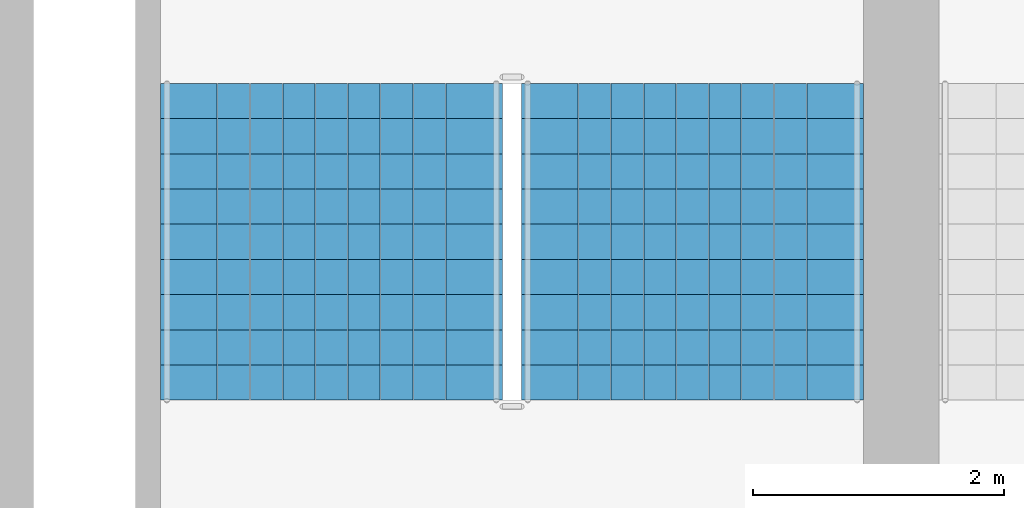
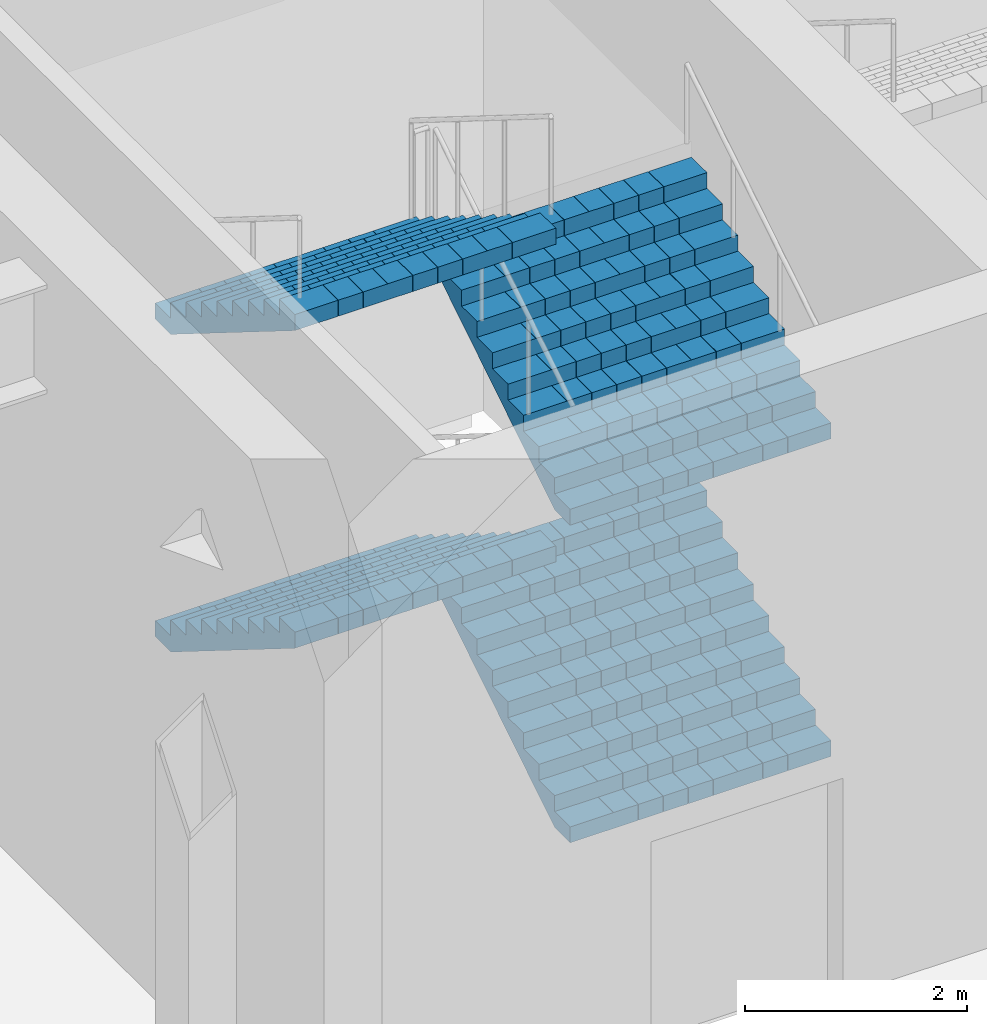
# One storey, part 52 of 62: 4 stair flights, 1 element without a shape of its own.
"""IFC4 building model written with IfcOpenShell, lengths in metres."""

from ifc_helpers import new_model, si_unit, direction, frame, origin, place, context, subcontext, project, spatial, polyline, outline, extrude, material, type_object, element, aggregate, save


model = new_model("IFC4")

# Units and contexts
model_context = context("Model", 3, precision=1e-05, world=origin(), true_north=direction((0.0, 1.0)))
body_context = subcontext(model_context, "Body", "Model", "MODEL_VIEW")
ifc_project = project(units=[si_unit("LENGTHUNIT", "METRE"), si_unit("AREAUNIT", "SQUARE_METRE"), si_unit("VOLUMEUNIT", "CUBIC_METRE"), si_unit("PLANEANGLEUNIT", "RADIAN"), si_unit("MASSUNIT", "GRAM", prefix="KILO")], contexts=[model_context])

# Site, building, storey
site_placement = place(None, origin())
site = spatial("IfcSite", under=ifc_project, at=site_placement, CompositionType="ELEMENT")
building_placement = place(site_placement, origin())
building = spatial("IfcBuilding", under=site, at=building_placement, Name="Corbelhall Arena Tower", CompositionType="ELEMENT")
storey_placement = place(building_placement, frame((0.0, 0.0, 12.0)))
storey = spatial("IfcBuildingStorey", under=building, at=storey_placement, Name="L01", CompositionType="ELEMENT", Elevation=12.0)

# Stair, stair flights
ifc_material = material(Name="Reinforced concrete C40/50", Category="concrete")
stair_type = type_object("IfcStairType", Name="AR-EXIT-STAIR", PredefinedType="HALF_TURN_STAIR", material=ifc_material)
stair_placement = place(storey_placement, origin())
stair = element("IfcStair", 1, at=stair_placement, inside=storey, type_object=stair_type, Name="L01 exit stair AS1", PredefinedType="HALF_TURN_STAIR")
stair_flight_type = type_object("IfcStairFlightType", Name="AR-EXIT-FLIGHT", PredefinedType="STRAIGHT", material=ifc_material)
stair_flight_1_placement = place(storey_placement, frame((38.840087890625, 27.320068359375, 0.0), z_axis=(0.0, 0.0, 1.0), x_axis=(0.0, 1.0, 0.0)))
stair_flight_1 = element("IfcStairFlight", 2, at=stair_flight_1_placement, type_object=stair_flight_type, Name="AS1 flight 1", NumberOfRisers=10, NumberOfTreads=9, PredefinedType="STRAIGHT", RiserHeight=0.175, TreadLength=0.28, context=body_context, shape_type="SweptSolid", body=[
    extrude(outline(polyline([(0.0, 0.0), (0.0, 0.175048828125), (0.280029296875, 0.175048828125), (0.280029296875, 0.35009765625), (0.56005859375, 0.35009765625), (0.56005859375, 0.52490234375), (0.840087890625, 0.52490234375), (0.840087890625, 0.699951171875), (1.1201171875, 0.699951171875), (1.1201171875, 0.875), (1.39990234375, 0.875), (1.39990234375, 1.050048828125), (1.679931640625, 1.050048828125), (1.679931640625, 1.22509765625), (1.9599609375, 1.22509765625), (1.9599609375, 1.39990234375), (2.239990234375, 1.39990234375), (2.239990234375, 1.574951171875), (2.52001953125, 1.574951171875), (2.52001953125, 1.75), (2.52001953125, 1.398193359375), (0.28271484375, 0.0), (0.0, 0.0)])), frame((0.0, 1.35986328125, 0.0), z_axis=(0.0, -1.0, 0.0), x_axis=(1.0, 0.0, 0.0)), (0.0, 0.0, 1.0), 0.449951171875),
    extrude(outline(polyline([(0.0, 0.0), (0.0, 0.175048828125), (0.280029296875, 0.175048828125), (0.280029296875, 0.35009765625), (0.56005859375, 0.35009765625), (0.56005859375, 0.52490234375), (0.840087890625, 0.52490234375), (0.840087890625, 0.699951171875), (1.1201171875, 0.699951171875), (1.1201171875, 0.875), (1.39990234375, 0.875), (1.39990234375, 1.050048828125), (1.679931640625, 1.050048828125), (1.679931640625, 1.22509765625), (1.9599609375, 1.22509765625), (1.9599609375, 1.39990234375), (2.239990234375, 1.39990234375), (2.239990234375, 1.574951171875), (2.52001953125, 1.574951171875), (2.52001953125, 1.75), (2.52001953125, 1.398193359375), (0.28271484375, 0.0), (0.0, 0.0)])), frame((0.0, 0.906005859375, 0.0), z_axis=(0.0, -1.0, 0.0), x_axis=(1.0, 0.0, 0.0)), (0.0, 0.0, 1.0), 0.25537109375),
    extrude(outline(polyline([(0.0, 0.0), (0.0, 0.175048828125), (0.280029296875, 0.175048828125), (0.280029296875, 0.35009765625), (0.56005859375, 0.35009765625), (0.56005859375, 0.52490234375), (0.840087890625, 0.52490234375), (0.840087890625, 0.699951171875), (1.1201171875, 0.699951171875), (1.1201171875, 0.875), (1.39990234375, 0.875), (1.39990234375, 1.050048828125), (1.679931640625, 1.050048828125), (1.679931640625, 1.22509765625), (1.9599609375, 1.22509765625), (1.9599609375, 1.39990234375), (2.239990234375, 1.39990234375), (2.239990234375, 1.574951171875), (2.52001953125, 1.574951171875), (2.52001953125, 1.75), (2.52001953125, 1.398193359375), (0.28271484375, 0.0), (0.0, 0.0)])), frame((0.0, 0.646484375, 0.0), z_axis=(0.0, -1.0, 0.0), x_axis=(1.0, 0.0, 0.0)), (0.0, 0.0, 1.0), 0.25537109375),
    extrude(outline(polyline([(0.0, 0.0), (0.0, 0.175048828125), (0.280029296875, 0.175048828125), (0.280029296875, 0.35009765625), (0.56005859375, 0.35009765625), (0.56005859375, 0.52490234375), (0.840087890625, 0.52490234375), (0.840087890625, 0.699951171875), (1.1201171875, 0.699951171875), (1.1201171875, 0.875), (1.39990234375, 0.875), (1.39990234375, 1.050048828125), (1.679931640625, 1.050048828125), (1.679931640625, 1.22509765625), (1.9599609375, 1.22509765625), (1.9599609375, 1.39990234375), (2.239990234375, 1.39990234375), (2.239990234375, 1.574951171875), (2.52001953125, 1.574951171875), (2.52001953125, 1.75), (2.52001953125, 1.398193359375), (0.28271484375, 0.0), (0.0, 0.0)])), frame((0.0, 0.38720703125, 0.0), z_axis=(0.0, -1.0, 0.0), x_axis=(1.0, 0.0, 0.0)), (0.0, 0.0, 1.0), 0.25537109375),
    extrude(outline(polyline([(0.0, 0.0), (0.0, 0.175048828125), (0.280029296875, 0.175048828125), (0.280029296875, 0.35009765625), (0.56005859375, 0.35009765625), (0.56005859375, 0.52490234375), (0.840087890625, 0.52490234375), (0.840087890625, 0.699951171875), (1.1201171875, 0.699951171875), (1.1201171875, 0.875), (1.39990234375, 0.875), (1.39990234375, 1.050048828125), (1.679931640625, 1.050048828125), (1.679931640625, 1.22509765625), (1.9599609375, 1.22509765625), (1.9599609375, 1.39990234375), (2.239990234375, 1.39990234375), (2.239990234375, 1.574951171875), (2.52001953125, 1.574951171875), (2.52001953125, 1.75), (2.52001953125, 1.398193359375), (0.28271484375, 0.0), (0.0, 0.0)])), frame((0.0, 0.127685546875, 0.0), z_axis=(0.0, -1.0, 0.0), x_axis=(1.0, 0.0, 0.0)), (0.0, 0.0, 1.0), 0.25537109375),
    extrude(outline(polyline([(0.0, 0.0), (0.0, 0.175048828125), (0.280029296875, 0.175048828125), (0.280029296875, 0.35009765625), (0.56005859375, 0.35009765625), (0.56005859375, 0.52490234375), (0.840087890625, 0.52490234375), (0.840087890625, 0.699951171875), (1.1201171875, 0.699951171875), (1.1201171875, 0.875), (1.39990234375, 0.875), (1.39990234375, 1.050048828125), (1.679931640625, 1.050048828125), (1.679931640625, 1.22509765625), (1.9599609375, 1.22509765625), (1.9599609375, 1.39990234375), (2.239990234375, 1.39990234375), (2.239990234375, 1.574951171875), (2.52001953125, 1.574951171875), (2.52001953125, 1.75), (2.52001953125, 1.398193359375), (0.28271484375, 0.0), (0.0, 0.0)])), frame((0.0, -0.131591796875, 0.0), z_axis=(0.0, -1.0, 0.0), x_axis=(1.0, 0.0, 0.0)), (0.0, 0.0, 1.0), 0.25537109375),
    extrude(outline(polyline([(0.0, 0.0), (0.0, 0.175048828125), (0.280029296875, 0.175048828125), (0.280029296875, 0.35009765625), (0.56005859375, 0.35009765625), (0.56005859375, 0.52490234375), (0.840087890625, 0.52490234375), (0.840087890625, 0.699951171875), (1.1201171875, 0.699951171875), (1.1201171875, 0.875), (1.39990234375, 0.875), (1.39990234375, 1.050048828125), (1.679931640625, 1.050048828125), (1.679931640625, 1.22509765625), (1.9599609375, 1.22509765625), (1.9599609375, 1.39990234375), (2.239990234375, 1.39990234375), (2.239990234375, 1.574951171875), (2.52001953125, 1.574951171875), (2.52001953125, 1.75), (2.52001953125, 1.398193359375), (0.28271484375, 0.0), (0.0, 0.0)])), frame((0.0, -0.39111328125, 0.0), z_axis=(0.0, -1.0, 0.0), x_axis=(1.0, 0.0, 0.0)), (0.0, 0.0, 1.0), 0.25537109375),
    extrude(outline(polyline([(0.0, 0.0), (0.0, 0.175048828125), (0.280029296875, 0.175048828125), (0.280029296875, 0.35009765625), (0.56005859375, 0.35009765625), (0.56005859375, 0.52490234375), (0.840087890625, 0.52490234375), (0.840087890625, 0.699951171875), (1.1201171875, 0.699951171875), (1.1201171875, 0.875), (1.39990234375, 0.875), (1.39990234375, 1.050048828125), (1.679931640625, 1.050048828125), (1.679931640625, 1.22509765625), (1.9599609375, 1.22509765625), (1.9599609375, 1.39990234375), (2.239990234375, 1.39990234375), (2.239990234375, 1.574951171875), (2.52001953125, 1.574951171875), (2.52001953125, 1.75), (2.52001953125, 1.398193359375), (0.28271484375, 0.0), (0.0, 0.0)])), frame((0.0, -0.650634765625, 0.0), z_axis=(0.0, -1.0, 0.0), x_axis=(1.0, 0.0, 0.0)), (0.0, 0.0, 1.0), 0.25537109375),
    extrude(outline(polyline([(0.0, 0.0), (0.0, 0.175048828125), (0.280029296875, 0.175048828125), (0.280029296875, 0.35009765625), (0.56005859375, 0.35009765625), (0.56005859375, 0.52490234375), (0.840087890625, 0.52490234375), (0.840087890625, 0.699951171875), (1.1201171875, 0.699951171875), (1.1201171875, 0.875), (1.39990234375, 0.875), (1.39990234375, 1.050048828125), (1.679931640625, 1.050048828125), (1.679931640625, 1.22509765625), (1.9599609375, 1.22509765625), (1.9599609375, 1.39990234375), (2.239990234375, 1.39990234375), (2.239990234375, 1.574951171875), (2.52001953125, 1.574951171875), (2.52001953125, 1.75), (2.52001953125, 1.398193359375), (0.28271484375, 0.0), (0.0, 0.0)])), frame((0.0, -0.909912109375, 0.0), z_axis=(0.0, -1.0, 0.0), x_axis=(1.0, 0.0, 0.0)), (0.0, 0.0, 1.0), 0.449951171875),
])
stair_flight_2_placement = place(storey_placement, frame((35.969970703125, 29.840087890625, 1.75), z_axis=(0.0, 0.0, 1.0), x_axis=(0.0, -1.0, 0.0)))
stair_flight_2 = element("IfcStairFlight", 3, at=stair_flight_2_placement, type_object=stair_flight_type, Name="AS1 flight 2", NumberOfRisers=10, NumberOfTreads=9, PredefinedType="STRAIGHT", RiserHeight=0.175, TreadLength=0.28, context=body_context, shape_type="SweptSolid", body=[
    extrude(outline(polyline([(0.0, 0.0), (0.0, 0.175048828125), (0.280029296875, 0.175048828125), (0.280029296875, 0.35009765625), (0.56005859375, 0.35009765625), (0.56005859375, 0.52490234375), (0.840087890625, 0.52490234375), (0.840087890625, 0.699951171875), (1.1201171875, 0.699951171875), (1.1201171875, 0.875), (1.39990234375, 0.875), (1.39990234375, 1.050048828125), (1.679931640625, 1.050048828125), (1.679931640625, 1.22509765625), (1.9599609375, 1.22509765625), (1.9599609375, 1.39990234375), (2.239990234375, 1.39990234375), (2.239990234375, 1.574951171875), (2.52001953125, 1.574951171875), (2.52001953125, 1.75), (2.52001953125, 1.398193359375), (0.28271484375, 0.0), (0.0, 0.0)])), frame((0.0, 1.35986328125, 0.0), z_axis=(0.0, -1.0, 0.0), x_axis=(1.0, 0.0, 0.0)), (0.0, 0.0, 1.0), 0.449951171875),
    extrude(outline(polyline([(0.0, 0.0), (0.0, 0.175048828125), (0.280029296875, 0.175048828125), (0.280029296875, 0.35009765625), (0.56005859375, 0.35009765625), (0.56005859375, 0.52490234375), (0.840087890625, 0.52490234375), (0.840087890625, 0.699951171875), (1.1201171875, 0.699951171875), (1.1201171875, 0.875), (1.39990234375, 0.875), (1.39990234375, 1.050048828125), (1.679931640625, 1.050048828125), (1.679931640625, 1.22509765625), (1.9599609375, 1.22509765625), (1.9599609375, 1.39990234375), (2.239990234375, 1.39990234375), (2.239990234375, 1.574951171875), (2.52001953125, 1.574951171875), (2.52001953125, 1.75), (2.52001953125, 1.398193359375), (0.28271484375, 0.0), (0.0, 0.0)])), frame((0.0, 0.906005859375, 0.0), z_axis=(0.0, -1.0, 0.0), x_axis=(1.0, 0.0, 0.0)), (0.0, 0.0, 1.0), 0.25537109375),
    extrude(outline(polyline([(0.0, 0.0), (0.0, 0.175048828125), (0.280029296875, 0.175048828125), (0.280029296875, 0.35009765625), (0.56005859375, 0.35009765625), (0.56005859375, 0.52490234375), (0.840087890625, 0.52490234375), (0.840087890625, 0.699951171875), (1.1201171875, 0.699951171875), (1.1201171875, 0.875), (1.39990234375, 0.875), (1.39990234375, 1.050048828125), (1.679931640625, 1.050048828125), (1.679931640625, 1.22509765625), (1.9599609375, 1.22509765625), (1.9599609375, 1.39990234375), (2.239990234375, 1.39990234375), (2.239990234375, 1.574951171875), (2.52001953125, 1.574951171875), (2.52001953125, 1.75), (2.52001953125, 1.398193359375), (0.28271484375, 0.0), (0.0, 0.0)])), frame((0.0, 0.646484375, 0.0), z_axis=(0.0, -1.0, 0.0), x_axis=(1.0, 0.0, 0.0)), (0.0, 0.0, 1.0), 0.25537109375),
    extrude(outline(polyline([(0.0, 0.0), (0.0, 0.175048828125), (0.280029296875, 0.175048828125), (0.280029296875, 0.35009765625), (0.56005859375, 0.35009765625), (0.56005859375, 0.52490234375), (0.840087890625, 0.52490234375), (0.840087890625, 0.699951171875), (1.1201171875, 0.699951171875), (1.1201171875, 0.875), (1.39990234375, 0.875), (1.39990234375, 1.050048828125), (1.679931640625, 1.050048828125), (1.679931640625, 1.22509765625), (1.9599609375, 1.22509765625), (1.9599609375, 1.39990234375), (2.239990234375, 1.39990234375), (2.239990234375, 1.574951171875), (2.52001953125, 1.574951171875), (2.52001953125, 1.75), (2.52001953125, 1.398193359375), (0.28271484375, 0.0), (0.0, 0.0)])), frame((0.0, 0.38720703125, 0.0), z_axis=(0.0, -1.0, 0.0), x_axis=(1.0, 0.0, 0.0)), (0.0, 0.0, 1.0), 0.25537109375),
    extrude(outline(polyline([(0.0, 0.0), (0.0, 0.175048828125), (0.280029296875, 0.175048828125), (0.280029296875, 0.35009765625), (0.56005859375, 0.35009765625), (0.56005859375, 0.52490234375), (0.840087890625, 0.52490234375), (0.840087890625, 0.699951171875), (1.1201171875, 0.699951171875), (1.1201171875, 0.875), (1.39990234375, 0.875), (1.39990234375, 1.050048828125), (1.679931640625, 1.050048828125), (1.679931640625, 1.22509765625), (1.9599609375, 1.22509765625), (1.9599609375, 1.39990234375), (2.239990234375, 1.39990234375), (2.239990234375, 1.574951171875), (2.52001953125, 1.574951171875), (2.52001953125, 1.75), (2.52001953125, 1.398193359375), (0.28271484375, 0.0), (0.0, 0.0)])), frame((0.0, 0.127685546875, 0.0), z_axis=(0.0, -1.0, 0.0), x_axis=(1.0, 0.0, 0.0)), (0.0, 0.0, 1.0), 0.25537109375),
    extrude(outline(polyline([(0.0, 0.0), (0.0, 0.175048828125), (0.280029296875, 0.175048828125), (0.280029296875, 0.35009765625), (0.56005859375, 0.35009765625), (0.56005859375, 0.52490234375), (0.840087890625, 0.52490234375), (0.840087890625, 0.699951171875), (1.1201171875, 0.699951171875), (1.1201171875, 0.875), (1.39990234375, 0.875), (1.39990234375, 1.050048828125), (1.679931640625, 1.050048828125), (1.679931640625, 1.22509765625), (1.9599609375, 1.22509765625), (1.9599609375, 1.39990234375), (2.239990234375, 1.39990234375), (2.239990234375, 1.574951171875), (2.52001953125, 1.574951171875), (2.52001953125, 1.75), (2.52001953125, 1.398193359375), (0.28271484375, 0.0), (0.0, 0.0)])), frame((0.0, -0.131591796875, 0.0), z_axis=(0.0, -1.0, 0.0), x_axis=(1.0, 0.0, 0.0)), (0.0, 0.0, 1.0), 0.25537109375),
    extrude(outline(polyline([(0.0, 0.0), (0.0, 0.175048828125), (0.280029296875, 0.175048828125), (0.280029296875, 0.35009765625), (0.56005859375, 0.35009765625), (0.56005859375, 0.52490234375), (0.840087890625, 0.52490234375), (0.840087890625, 0.699951171875), (1.1201171875, 0.699951171875), (1.1201171875, 0.875), (1.39990234375, 0.875), (1.39990234375, 1.050048828125), (1.679931640625, 1.050048828125), (1.679931640625, 1.22509765625), (1.9599609375, 1.22509765625), (1.9599609375, 1.39990234375), (2.239990234375, 1.39990234375), (2.239990234375, 1.574951171875), (2.52001953125, 1.574951171875), (2.52001953125, 1.75), (2.52001953125, 1.398193359375), (0.28271484375, 0.0), (0.0, 0.0)])), frame((0.0, -0.39111328125, 0.0), z_axis=(0.0, -1.0, 0.0), x_axis=(1.0, 0.0, 0.0)), (0.0, 0.0, 1.0), 0.25537109375),
    extrude(outline(polyline([(0.0, 0.0), (0.0, 0.175048828125), (0.280029296875, 0.175048828125), (0.280029296875, 0.35009765625), (0.56005859375, 0.35009765625), (0.56005859375, 0.52490234375), (0.840087890625, 0.52490234375), (0.840087890625, 0.699951171875), (1.1201171875, 0.699951171875), (1.1201171875, 0.875), (1.39990234375, 0.875), (1.39990234375, 1.050048828125), (1.679931640625, 1.050048828125), (1.679931640625, 1.22509765625), (1.9599609375, 1.22509765625), (1.9599609375, 1.39990234375), (2.239990234375, 1.39990234375), (2.239990234375, 1.574951171875), (2.52001953125, 1.574951171875), (2.52001953125, 1.75), (2.52001953125, 1.398193359375), (0.28271484375, 0.0), (0.0, 0.0)])), frame((0.0, -0.650634765625, 0.0), z_axis=(0.0, -1.0, 0.0), x_axis=(1.0, 0.0, 0.0)), (0.0, 0.0, 1.0), 0.25537109375),
    extrude(outline(polyline([(0.0, 0.0), (0.0, 0.175048828125), (0.280029296875, 0.175048828125), (0.280029296875, 0.35009765625), (0.56005859375, 0.35009765625), (0.56005859375, 0.52490234375), (0.840087890625, 0.52490234375), (0.840087890625, 0.699951171875), (1.1201171875, 0.699951171875), (1.1201171875, 0.875), (1.39990234375, 0.875), (1.39990234375, 1.050048828125), (1.679931640625, 1.050048828125), (1.679931640625, 1.22509765625), (1.9599609375, 1.22509765625), (1.9599609375, 1.39990234375), (2.239990234375, 1.39990234375), (2.239990234375, 1.574951171875), (2.52001953125, 1.574951171875), (2.52001953125, 1.75), (2.52001953125, 1.398193359375), (0.28271484375, 0.0), (0.0, 0.0)])), frame((0.0, -0.909912109375, 0.0), z_axis=(0.0, -1.0, 0.0), x_axis=(1.0, 0.0, 0.0)), (0.0, 0.0, 1.0), 0.449951171875),
])
stair_flight_3_placement = place(storey_placement, frame((38.840087890625, 27.320068359375, 3.5), z_axis=(0.0, 0.0, 1.0), x_axis=(0.0, 1.0, 0.0)))
stair_flight_3 = element("IfcStairFlight", 4, at=stair_flight_3_placement, type_object=stair_flight_type, Name="AS1 flight 3", NumberOfRisers=10, NumberOfTreads=9, PredefinedType="STRAIGHT", RiserHeight=0.175, TreadLength=0.28, context=body_context, shape_type="SweptSolid", body=[
    extrude(outline(polyline([(0.0, 0.0), (0.0, 0.175048828125), (0.280029296875, 0.175048828125), (0.280029296875, 0.35009765625), (0.56005859375, 0.35009765625), (0.56005859375, 0.52490234375), (0.840087890625, 0.52490234375), (0.840087890625, 0.699951171875), (1.1201171875, 0.699951171875), (1.1201171875, 0.875), (1.39990234375, 0.875), (1.39990234375, 1.050048828125), (1.679931640625, 1.050048828125), (1.679931640625, 1.22509765625), (1.9599609375, 1.22509765625), (1.9599609375, 1.39990234375), (2.239990234375, 1.39990234375), (2.239990234375, 1.574951171875), (2.52001953125, 1.574951171875), (2.52001953125, 1.75), (2.52001953125, 1.398193359375), (0.28271484375, 0.0), (0.0, 0.0)])), frame((0.0, 1.35986328125, 0.0), z_axis=(0.0, -1.0, 0.0), x_axis=(1.0, 0.0, 0.0)), (0.0, 0.0, 1.0), 0.449951171875),
    extrude(outline(polyline([(0.0, 0.0), (0.0, 0.175048828125), (0.280029296875, 0.175048828125), (0.280029296875, 0.35009765625), (0.56005859375, 0.35009765625), (0.56005859375, 0.52490234375), (0.840087890625, 0.52490234375), (0.840087890625, 0.699951171875), (1.1201171875, 0.699951171875), (1.1201171875, 0.875), (1.39990234375, 0.875), (1.39990234375, 1.050048828125), (1.679931640625, 1.050048828125), (1.679931640625, 1.22509765625), (1.9599609375, 1.22509765625), (1.9599609375, 1.39990234375), (2.239990234375, 1.39990234375), (2.239990234375, 1.574951171875), (2.52001953125, 1.574951171875), (2.52001953125, 1.75), (2.52001953125, 1.398193359375), (0.28271484375, 0.0), (0.0, 0.0)])), frame((0.0, 0.906005859375, 0.0), z_axis=(0.0, -1.0, 0.0), x_axis=(1.0, 0.0, 0.0)), (0.0, 0.0, 1.0), 0.25537109375),
    extrude(outline(polyline([(0.0, 0.0), (0.0, 0.175048828125), (0.280029296875, 0.175048828125), (0.280029296875, 0.35009765625), (0.56005859375, 0.35009765625), (0.56005859375, 0.52490234375), (0.840087890625, 0.52490234375), (0.840087890625, 0.699951171875), (1.1201171875, 0.699951171875), (1.1201171875, 0.875), (1.39990234375, 0.875), (1.39990234375, 1.050048828125), (1.679931640625, 1.050048828125), (1.679931640625, 1.22509765625), (1.9599609375, 1.22509765625), (1.9599609375, 1.39990234375), (2.239990234375, 1.39990234375), (2.239990234375, 1.574951171875), (2.52001953125, 1.574951171875), (2.52001953125, 1.75), (2.52001953125, 1.398193359375), (0.28271484375, 0.0), (0.0, 0.0)])), frame((0.0, 0.646484375, 0.0), z_axis=(0.0, -1.0, 0.0), x_axis=(1.0, 0.0, 0.0)), (0.0, 0.0, 1.0), 0.25537109375),
    extrude(outline(polyline([(0.0, 0.0), (0.0, 0.175048828125), (0.280029296875, 0.175048828125), (0.280029296875, 0.35009765625), (0.56005859375, 0.35009765625), (0.56005859375, 0.52490234375), (0.840087890625, 0.52490234375), (0.840087890625, 0.699951171875), (1.1201171875, 0.699951171875), (1.1201171875, 0.875), (1.39990234375, 0.875), (1.39990234375, 1.050048828125), (1.679931640625, 1.050048828125), (1.679931640625, 1.22509765625), (1.9599609375, 1.22509765625), (1.9599609375, 1.39990234375), (2.239990234375, 1.39990234375), (2.239990234375, 1.574951171875), (2.52001953125, 1.574951171875), (2.52001953125, 1.75), (2.52001953125, 1.398193359375), (0.28271484375, 0.0), (0.0, 0.0)])), frame((0.0, 0.38720703125, 0.0), z_axis=(0.0, -1.0, 0.0), x_axis=(1.0, 0.0, 0.0)), (0.0, 0.0, 1.0), 0.25537109375),
    extrude(outline(polyline([(0.0, 0.0), (0.0, 0.175048828125), (0.280029296875, 0.175048828125), (0.280029296875, 0.35009765625), (0.56005859375, 0.35009765625), (0.56005859375, 0.52490234375), (0.840087890625, 0.52490234375), (0.840087890625, 0.699951171875), (1.1201171875, 0.699951171875), (1.1201171875, 0.875), (1.39990234375, 0.875), (1.39990234375, 1.050048828125), (1.679931640625, 1.050048828125), (1.679931640625, 1.22509765625), (1.9599609375, 1.22509765625), (1.9599609375, 1.39990234375), (2.239990234375, 1.39990234375), (2.239990234375, 1.574951171875), (2.52001953125, 1.574951171875), (2.52001953125, 1.75), (2.52001953125, 1.398193359375), (0.28271484375, 0.0), (0.0, 0.0)])), frame((0.0, 0.127685546875, 0.0), z_axis=(0.0, -1.0, 0.0), x_axis=(1.0, 0.0, 0.0)), (0.0, 0.0, 1.0), 0.25537109375),
    extrude(outline(polyline([(0.0, 0.0), (0.0, 0.175048828125), (0.280029296875, 0.175048828125), (0.280029296875, 0.35009765625), (0.56005859375, 0.35009765625), (0.56005859375, 0.52490234375), (0.840087890625, 0.52490234375), (0.840087890625, 0.699951171875), (1.1201171875, 0.699951171875), (1.1201171875, 0.875), (1.39990234375, 0.875), (1.39990234375, 1.050048828125), (1.679931640625, 1.050048828125), (1.679931640625, 1.22509765625), (1.9599609375, 1.22509765625), (1.9599609375, 1.39990234375), (2.239990234375, 1.39990234375), (2.239990234375, 1.574951171875), (2.52001953125, 1.574951171875), (2.52001953125, 1.75), (2.52001953125, 1.398193359375), (0.28271484375, 0.0), (0.0, 0.0)])), frame((0.0, -0.131591796875, 0.0), z_axis=(0.0, -1.0, 0.0), x_axis=(1.0, 0.0, 0.0)), (0.0, 0.0, 1.0), 0.25537109375),
    extrude(outline(polyline([(0.0, 0.0), (0.0, 0.175048828125), (0.280029296875, 0.175048828125), (0.280029296875, 0.35009765625), (0.56005859375, 0.35009765625), (0.56005859375, 0.52490234375), (0.840087890625, 0.52490234375), (0.840087890625, 0.699951171875), (1.1201171875, 0.699951171875), (1.1201171875, 0.875), (1.39990234375, 0.875), (1.39990234375, 1.050048828125), (1.679931640625, 1.050048828125), (1.679931640625, 1.22509765625), (1.9599609375, 1.22509765625), (1.9599609375, 1.39990234375), (2.239990234375, 1.39990234375), (2.239990234375, 1.574951171875), (2.52001953125, 1.574951171875), (2.52001953125, 1.75), (2.52001953125, 1.398193359375), (0.28271484375, 0.0), (0.0, 0.0)])), frame((0.0, -0.39111328125, 0.0), z_axis=(0.0, -1.0, 0.0), x_axis=(1.0, 0.0, 0.0)), (0.0, 0.0, 1.0), 0.25537109375),
    extrude(outline(polyline([(0.0, 0.0), (0.0, 0.175048828125), (0.280029296875, 0.175048828125), (0.280029296875, 0.35009765625), (0.56005859375, 0.35009765625), (0.56005859375, 0.52490234375), (0.840087890625, 0.52490234375), (0.840087890625, 0.699951171875), (1.1201171875, 0.699951171875), (1.1201171875, 0.875), (1.39990234375, 0.875), (1.39990234375, 1.050048828125), (1.679931640625, 1.050048828125), (1.679931640625, 1.22509765625), (1.9599609375, 1.22509765625), (1.9599609375, 1.39990234375), (2.239990234375, 1.39990234375), (2.239990234375, 1.574951171875), (2.52001953125, 1.574951171875), (2.52001953125, 1.75), (2.52001953125, 1.398193359375), (0.28271484375, 0.0), (0.0, 0.0)])), frame((0.0, -0.650634765625, 0.0), z_axis=(0.0, -1.0, 0.0), x_axis=(1.0, 0.0, 0.0)), (0.0, 0.0, 1.0), 0.25537109375),
    extrude(outline(polyline([(0.0, 0.0), (0.0, 0.175048828125), (0.280029296875, 0.175048828125), (0.280029296875, 0.35009765625), (0.56005859375, 0.35009765625), (0.56005859375, 0.52490234375), (0.840087890625, 0.52490234375), (0.840087890625, 0.699951171875), (1.1201171875, 0.699951171875), (1.1201171875, 0.875), (1.39990234375, 0.875), (1.39990234375, 1.050048828125), (1.679931640625, 1.050048828125), (1.679931640625, 1.22509765625), (1.9599609375, 1.22509765625), (1.9599609375, 1.39990234375), (2.239990234375, 1.39990234375), (2.239990234375, 1.574951171875), (2.52001953125, 1.574951171875), (2.52001953125, 1.75), (2.52001953125, 1.398193359375), (0.28271484375, 0.0), (0.0, 0.0)])), frame((0.0, -0.909912109375, 0.0), z_axis=(0.0, -1.0, 0.0), x_axis=(1.0, 0.0, 0.0)), (0.0, 0.0, 1.0), 0.449951171875),
])
stair_flight_4_placement = place(storey_placement, frame((35.969970703125, 29.840087890625, 5.25), z_axis=(0.0, 0.0, 1.0), x_axis=(0.0, -1.0, 0.0)))
stair_flight_4 = element("IfcStairFlight", 5, at=stair_flight_4_placement, type_object=stair_flight_type, Name="AS1 flight 4", NumberOfRisers=10, NumberOfTreads=9, PredefinedType="STRAIGHT", RiserHeight=0.175, TreadLength=0.28, context=body_context, shape_type="SweptSolid", body=[
    extrude(outline(polyline([(0.0, 0.0), (0.0, 0.175048828125), (0.280029296875, 0.175048828125), (0.280029296875, 0.35009765625), (0.56005859375, 0.35009765625), (0.56005859375, 0.52490234375), (0.840087890625, 0.52490234375), (0.840087890625, 0.699951171875), (1.1201171875, 0.699951171875), (1.1201171875, 0.875), (1.39990234375, 0.875), (1.39990234375, 1.050048828125), (1.679931640625, 1.050048828125), (1.679931640625, 1.22509765625), (1.9599609375, 1.22509765625), (1.9599609375, 1.39990234375), (2.239990234375, 1.39990234375), (2.239990234375, 1.574951171875), (2.52001953125, 1.574951171875), (2.52001953125, 1.75), (2.52001953125, 1.398193359375), (0.28271484375, 0.0), (0.0, 0.0)])), frame((0.0, 1.35986328125, 0.0), z_axis=(0.0, -1.0, 0.0), x_axis=(1.0, 0.0, 0.0)), (0.0, 0.0, 1.0), 0.449951171875),
    extrude(outline(polyline([(0.0, 0.0), (0.0, 0.175048828125), (0.280029296875, 0.175048828125), (0.280029296875, 0.35009765625), (0.56005859375, 0.35009765625), (0.56005859375, 0.52490234375), (0.840087890625, 0.52490234375), (0.840087890625, 0.699951171875), (1.1201171875, 0.699951171875), (1.1201171875, 0.875), (1.39990234375, 0.875), (1.39990234375, 1.050048828125), (1.679931640625, 1.050048828125), (1.679931640625, 1.22509765625), (1.9599609375, 1.22509765625), (1.9599609375, 1.39990234375), (2.239990234375, 1.39990234375), (2.239990234375, 1.574951171875), (2.52001953125, 1.574951171875), (2.52001953125, 1.75), (2.52001953125, 1.398193359375), (0.28271484375, 0.0), (0.0, 0.0)])), frame((0.0, 0.906005859375, 0.0), z_axis=(0.0, -1.0, 0.0), x_axis=(1.0, 0.0, 0.0)), (0.0, 0.0, 1.0), 0.25537109375),
    extrude(outline(polyline([(0.0, 0.0), (0.0, 0.175048828125), (0.280029296875, 0.175048828125), (0.280029296875, 0.35009765625), (0.56005859375, 0.35009765625), (0.56005859375, 0.52490234375), (0.840087890625, 0.52490234375), (0.840087890625, 0.699951171875), (1.1201171875, 0.699951171875), (1.1201171875, 0.875), (1.39990234375, 0.875), (1.39990234375, 1.050048828125), (1.679931640625, 1.050048828125), (1.679931640625, 1.22509765625), (1.9599609375, 1.22509765625), (1.9599609375, 1.39990234375), (2.239990234375, 1.39990234375), (2.239990234375, 1.574951171875), (2.52001953125, 1.574951171875), (2.52001953125, 1.75), (2.52001953125, 1.398193359375), (0.28271484375, 0.0), (0.0, 0.0)])), frame((0.0, 0.646484375, 0.0), z_axis=(0.0, -1.0, 0.0), x_axis=(1.0, 0.0, 0.0)), (0.0, 0.0, 1.0), 0.25537109375),
    extrude(outline(polyline([(0.0, 0.0), (0.0, 0.175048828125), (0.280029296875, 0.175048828125), (0.280029296875, 0.35009765625), (0.56005859375, 0.35009765625), (0.56005859375, 0.52490234375), (0.840087890625, 0.52490234375), (0.840087890625, 0.699951171875), (1.1201171875, 0.699951171875), (1.1201171875, 0.875), (1.39990234375, 0.875), (1.39990234375, 1.050048828125), (1.679931640625, 1.050048828125), (1.679931640625, 1.22509765625), (1.9599609375, 1.22509765625), (1.9599609375, 1.39990234375), (2.239990234375, 1.39990234375), (2.239990234375, 1.574951171875), (2.52001953125, 1.574951171875), (2.52001953125, 1.75), (2.52001953125, 1.398193359375), (0.28271484375, 0.0), (0.0, 0.0)])), frame((0.0, 0.38720703125, 0.0), z_axis=(0.0, -1.0, 0.0), x_axis=(1.0, 0.0, 0.0)), (0.0, 0.0, 1.0), 0.25537109375),
    extrude(outline(polyline([(0.0, 0.0), (0.0, 0.175048828125), (0.280029296875, 0.175048828125), (0.280029296875, 0.35009765625), (0.56005859375, 0.35009765625), (0.56005859375, 0.52490234375), (0.840087890625, 0.52490234375), (0.840087890625, 0.699951171875), (1.1201171875, 0.699951171875), (1.1201171875, 0.875), (1.39990234375, 0.875), (1.39990234375, 1.050048828125), (1.679931640625, 1.050048828125), (1.679931640625, 1.22509765625), (1.9599609375, 1.22509765625), (1.9599609375, 1.39990234375), (2.239990234375, 1.39990234375), (2.239990234375, 1.574951171875), (2.52001953125, 1.574951171875), (2.52001953125, 1.75), (2.52001953125, 1.398193359375), (0.28271484375, 0.0), (0.0, 0.0)])), frame((0.0, 0.127685546875, 0.0), z_axis=(0.0, -1.0, 0.0), x_axis=(1.0, 0.0, 0.0)), (0.0, 0.0, 1.0), 0.25537109375),
    extrude(outline(polyline([(0.0, 0.0), (0.0, 0.175048828125), (0.280029296875, 0.175048828125), (0.280029296875, 0.35009765625), (0.56005859375, 0.35009765625), (0.56005859375, 0.52490234375), (0.840087890625, 0.52490234375), (0.840087890625, 0.699951171875), (1.1201171875, 0.699951171875), (1.1201171875, 0.875), (1.39990234375, 0.875), (1.39990234375, 1.050048828125), (1.679931640625, 1.050048828125), (1.679931640625, 1.22509765625), (1.9599609375, 1.22509765625), (1.9599609375, 1.39990234375), (2.239990234375, 1.39990234375), (2.239990234375, 1.574951171875), (2.52001953125, 1.574951171875), (2.52001953125, 1.75), (2.52001953125, 1.398193359375), (0.28271484375, 0.0), (0.0, 0.0)])), frame((0.0, -0.131591796875, 0.0), z_axis=(0.0, -1.0, 0.0), x_axis=(1.0, 0.0, 0.0)), (0.0, 0.0, 1.0), 0.25537109375),
    extrude(outline(polyline([(0.0, 0.0), (0.0, 0.175048828125), (0.280029296875, 0.175048828125), (0.280029296875, 0.35009765625), (0.56005859375, 0.35009765625), (0.56005859375, 0.52490234375), (0.840087890625, 0.52490234375), (0.840087890625, 0.699951171875), (1.1201171875, 0.699951171875), (1.1201171875, 0.875), (1.39990234375, 0.875), (1.39990234375, 1.050048828125), (1.679931640625, 1.050048828125), (1.679931640625, 1.22509765625), (1.9599609375, 1.22509765625), (1.9599609375, 1.39990234375), (2.239990234375, 1.39990234375), (2.239990234375, 1.574951171875), (2.52001953125, 1.574951171875), (2.52001953125, 1.75), (2.52001953125, 1.398193359375), (0.28271484375, 0.0), (0.0, 0.0)])), frame((0.0, -0.39111328125, 0.0), z_axis=(0.0, -1.0, 0.0), x_axis=(1.0, 0.0, 0.0)), (0.0, 0.0, 1.0), 0.25537109375),
    extrude(outline(polyline([(0.0, 0.0), (0.0, 0.175048828125), (0.280029296875, 0.175048828125), (0.280029296875, 0.35009765625), (0.56005859375, 0.35009765625), (0.56005859375, 0.52490234375), (0.840087890625, 0.52490234375), (0.840087890625, 0.699951171875), (1.1201171875, 0.699951171875), (1.1201171875, 0.875), (1.39990234375, 0.875), (1.39990234375, 1.050048828125), (1.679931640625, 1.050048828125), (1.679931640625, 1.22509765625), (1.9599609375, 1.22509765625), (1.9599609375, 1.39990234375), (2.239990234375, 1.39990234375), (2.239990234375, 1.574951171875), (2.52001953125, 1.574951171875), (2.52001953125, 1.75), (2.52001953125, 1.398193359375), (0.28271484375, 0.0), (0.0, 0.0)])), frame((0.0, -0.650634765625, 0.0), z_axis=(0.0, -1.0, 0.0), x_axis=(1.0, 0.0, 0.0)), (0.0, 0.0, 1.0), 0.25537109375),
    extrude(outline(polyline([(0.0, 0.0), (0.0, 0.175048828125), (0.280029296875, 0.175048828125), (0.280029296875, 0.35009765625), (0.56005859375, 0.35009765625), (0.56005859375, 0.52490234375), (0.840087890625, 0.52490234375), (0.840087890625, 0.699951171875), (1.1201171875, 0.699951171875), (1.1201171875, 0.875), (1.39990234375, 0.875), (1.39990234375, 1.050048828125), (1.679931640625, 1.050048828125), (1.679931640625, 1.22509765625), (1.9599609375, 1.22509765625), (1.9599609375, 1.39990234375), (2.239990234375, 1.39990234375), (2.239990234375, 1.574951171875), (2.52001953125, 1.574951171875), (2.52001953125, 1.75), (2.52001953125, 1.398193359375), (0.28271484375, 0.0), (0.0, 0.0)])), frame((0.0, -0.909912109375, 0.0), z_axis=(0.0, -1.0, 0.0), x_axis=(1.0, 0.0, 0.0)), (0.0, 0.0, 1.0), 0.449951171875),
])
aggregate(stair, [stair_flight_1, stair_flight_2, stair_flight_3, stair_flight_4])

save(model, "model.ifc")
